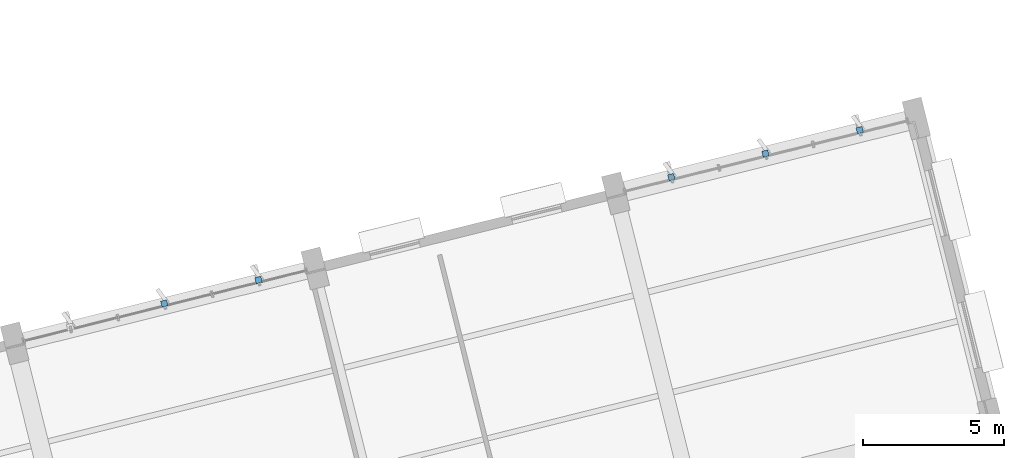
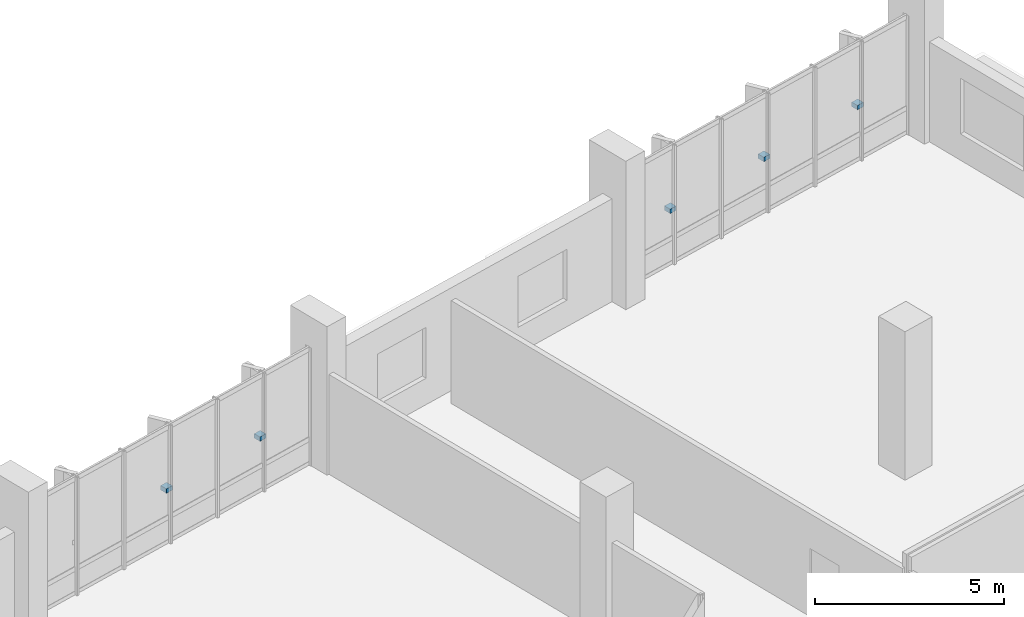
# One storey, part 129 of 137: 5 discrete accessories.
"""IFC4 building model written with IfcOpenShell, lengths in metres."""

from ifc_helpers import new_model, si_unit, direction, frame, origin, origin_2d, place, context, subcontext, project, spatial, rectangle, extrude, material, type_object, element, save


model = new_model("IFC4")

# Units and contexts
model_context = context("Model", 3, precision=1e-05, world=origin(), true_north=direction((0.0, 1.0)))
body_context = subcontext(model_context, "Body", "Model", "MODEL_VIEW")
ifc_project = project(units=[si_unit("LENGTHUNIT", "METRE"), si_unit("AREAUNIT", "SQUARE_METRE"), si_unit("VOLUMEUNIT", "CUBIC_METRE"), si_unit("PLANEANGLEUNIT", "RADIAN"), si_unit("MASSUNIT", "GRAM", prefix="KILO")], contexts=[model_context])

# Site, building, storey
site_placement = place(None, origin())
site = spatial("IfcSite", under=ifc_project, at=site_placement, CompositionType="ELEMENT")
building_placement = place(site_placement, origin())
building = spatial("IfcBuilding", under=site, at=building_placement, Name="Khorjan Park Terminus", CompositionType="ELEMENT")
storey_placement = place(building_placement, frame((0.0, 0.0, 11.4)))
storey = spatial("IfcBuildingStorey", under=building, at=storey_placement, Name="L02", CompositionType="ELEMENT", Elevation=11.4)

# Discrete accessories
ifc_material = material(Name="Steel S355", Category="steel")
discrete_accessory_type = type_object("IfcDiscreteAccessoryType", Name="ACC-BRK-FIN", PredefinedType="BRACKET", material=ifc_material)
for number, where, z_axis, x_axis, name in (
    (1, (212.0587, 81.5969, 1.6512), (0.0, 0.0, 1.0), (-0.970294194364, -0.241928039679, 0.0), "Solar fin structural bracket BK-01 (CW-V5-N1-L02-B01-1)"),
    (2, (208.7142, 80.763, 1.6512), (0.0, 0.0, 1.0), (-0.970294194364, -0.241928039679, 0.0), "Solar fin structural bracket BK-01 (CW-V5-N1-L02-B01-3)"),
    (3, (205.3696, 79.9291, 1.6512), (0.0, 0.0, 1.0), (-0.970294194364, -0.241928039679, 0.0), "Solar fin structural bracket BK-01 (CW-V5-N1-L02-B01-5)"),
    (4, (190.7119, 76.2746, 1.6333), (0.0, 0.0, 1.0), (-0.970295910648, -0.241921156122, 0.0), "Solar fin structural bracket BK-01 (CW-V5-N1-L02-B03-1)"),
    (5, (187.3677, 75.4408, 1.6333), (0.0, 0.0, 1.0), (-0.970295910648, -0.241921156122, 0.0), "Solar fin structural bracket BK-01 (CW-V5-N1-L02-B03-3)"),
):
    element("IfcDiscreteAccessory", number, at=place(storey_placement, frame(where, z_axis=z_axis, x_axis=x_axis)), inside=storey, type_object=discrete_accessory_type, Name=name, PredefinedType="BRACKET", context=body_context, shape_type="SweptSolid", body=[
        extrude(rectangle(XDim=0.22, YDim=0.22, at=origin_2d()), origin(), (0.0, 0.0, 1.0), 0.14),
    ])

save(model, "model.ifc")
